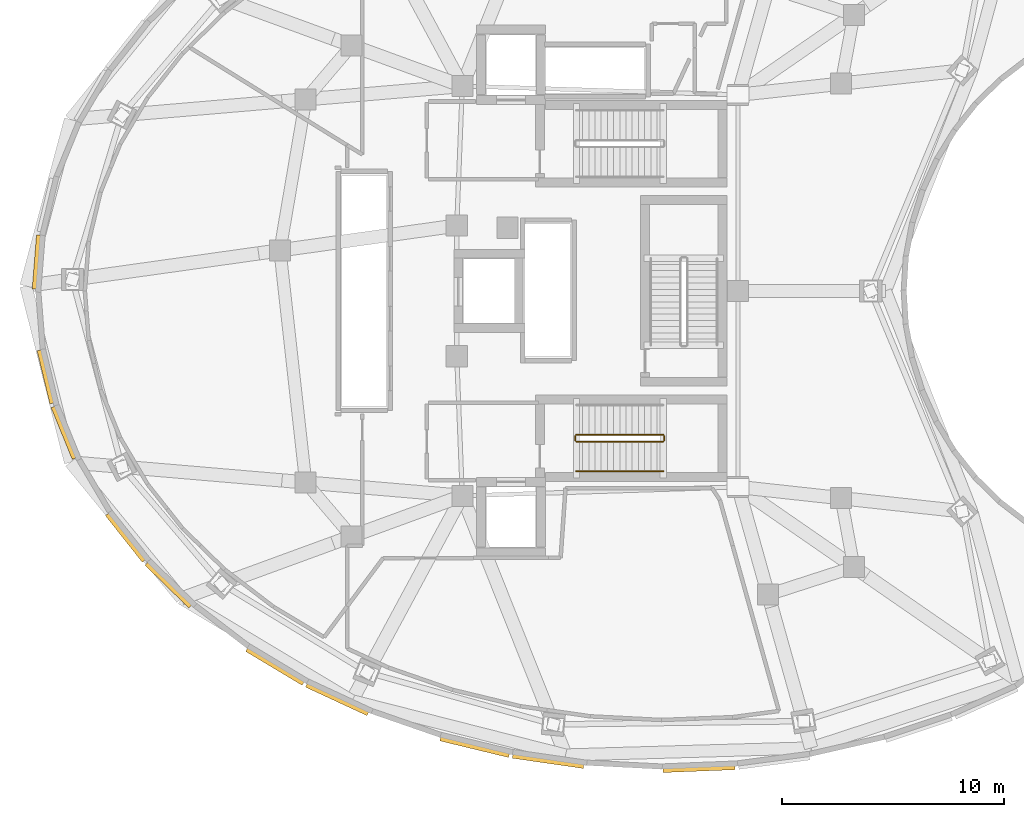
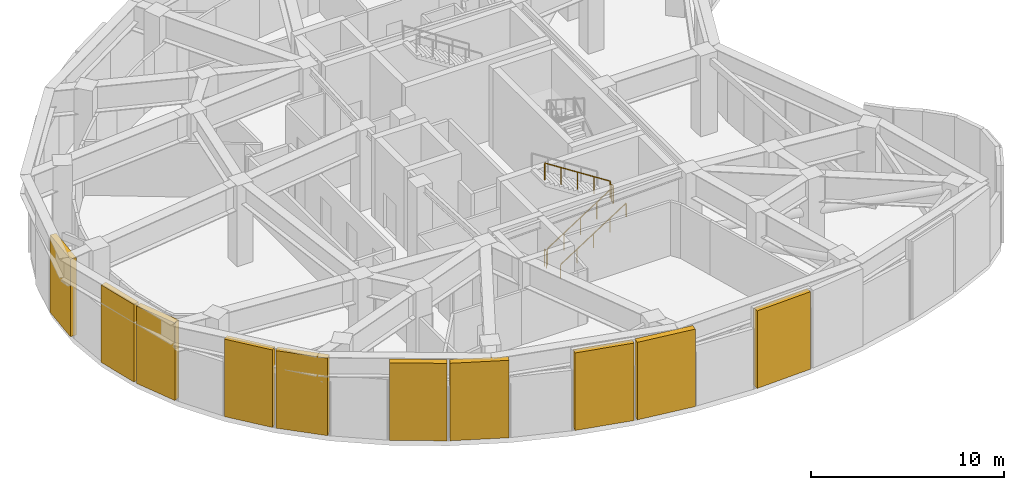
# One storey, part 8 of 10: 10 shading devices, 5 railings.
"""IFC4 building model written with IfcOpenShell, lengths in metres."""

from ifc_helpers import new_model, si_unit, direction, frame, origin, origin_2d, place, context, subcontext, project, spatial, rectangle, extrude, material, layer, layer_set, type_object, element, save


model = new_model("IFC4")

# Units and contexts
model_context = context("Model", 3, precision=1e-05, world=origin(), true_north=direction((0.0, 1.0)))
body_context = subcontext(model_context, "Body", "Model", "MODEL_VIEW")
ifc_project = project(units=[si_unit("LENGTHUNIT", "METRE"), si_unit("AREAUNIT", "SQUARE_METRE"), si_unit("VOLUMEUNIT", "CUBIC_METRE"), si_unit("PLANEANGLEUNIT", "RADIAN"), si_unit("MASSUNIT", "GRAM", prefix="KILO")], contexts=[model_context])

# Site, building, storey
site_placement = place(None, origin())
site = spatial("IfcSite", under=ifc_project, at=site_placement, CompositionType="ELEMENT")
building_placement = place(site_placement, origin())
building = spatial("IfcBuilding", under=site, at=building_placement, Name="Korentha Bioscience Tower", CompositionType="ELEMENT")
storey_placement = place(building_placement, frame((0.0, 0.0, 213.0)))
storey = spatial("IfcBuildingStorey", under=building, at=storey_placement, Name="L49", CompositionType="ELEMENT", Elevation=213.0)

# Shading devices
ifc_material_1 = material(Name="Powder-Coated Aluminium Louvre", Category="aluminium")
ifc_layer = layer(ifc_material_1, 0.1201171875, Name="Powder-Coated Aluminium Louvre")
ifc_layer_set = layer_set([ifc_layer], Name="Powder-Coated Aluminium Louvre (LV-350)")
shading_device_type = type_object("IfcShadingDeviceType", Name="Acoustic Weatherproof Aluminium Plant Louvre 350", PredefinedType="USERDEFINED", material=ifc_layer_set)
shading_device_1_placement = place(storey_placement, frame((5.955810546875, 28.29345703125, 0.10009765625), z_axis=(0.0, 0.0, 1.0), x_axis=(-0.079092017356, -0.996867319552, 0.0)))
element("IfcShadingDevice", 1, at=shading_device_1_placement, inside=storey, type_object=shading_device_type, Name="L49 Acoustic Plant Louvre 18", ObjectType="LOUVRE", PredefinedType="USERDEFINED", context=body_context, shape_type="SweptSolid", body=[
    extrude(rectangle(XDim=2.438232421875, YDim=0.35009765625, at=origin_2d()), origin(), (0.0, 0.0, 1.0), 4.89990234375),
])
shading_device_2_placement = place(storey_placement, frame((6.364501953125, 23.13818359375, 0.10009765625), z_axis=(0.0, 0.0, 1.0), x_axis=(0.233643779701, -0.972322263556, 0.0)))
element("IfcShadingDevice", 2, at=shading_device_2_placement, inside=storey, type_object=shading_device_type, Name="L49 Acoustic Plant Louvre 20", ObjectType="LOUVRE", PredefinedType="USERDEFINED", context=body_context, shape_type="SweptSolid", body=[
    extrude(rectangle(XDim=2.46533203125, YDim=0.35009765625, at=origin_2d()), origin(), (0.0, 0.0, 1.0), 4.89990234375),
])
shading_device_3_placement = place(storey_placement, frame((7.1767578125, 20.62548828125, 0.10009765625), z_axis=(0.0, 0.0, 1.0), x_axis=(0.378219761594, -0.925715837576, 0.0)))
element("IfcShadingDevice", 3, at=shading_device_3_placement, inside=storey, type_object=shading_device_type, Name="L49 Acoustic Plant Louvre 21", ObjectType="LOUVRE", PredefinedType="USERDEFINED", context=body_context, shape_type="SweptSolid", body=[
    extrude(rectangle(XDim=2.517333984375, YDim=0.35009765625, at=origin_2d()), origin(), (0.0, 0.0, 1.0), 4.89990234375),
])
shading_device_4_placement = place(storey_placement, frame((9.9580078125, 15.910888671875, 0.10009765625), z_axis=(0.0, 0.0, 1.0), x_axis=(0.620844675478, -0.783933599822, 0.0)))
element("IfcShadingDevice", 4, at=shading_device_4_placement, inside=storey, type_object=shading_device_type, Name="L49 Acoustic Plant Louvre 23", ObjectType="LOUVRE", PredefinedType="USERDEFINED", context=body_context, shape_type="SweptSolid", body=[
    extrude(rectangle(XDim=2.677001953125, YDim=0.35009765625, at=origin_2d()), origin(), (0.0, 0.0, 1.0), 4.89990234375),
])
shading_device_5_placement = place(storey_placement, frame((11.886962890625, 13.776611328125, 0.10009765625), z_axis=(0.0, 0.0, 1.0), x_axis=(0.715998861647, -0.698101446868, 0.0)))
element("IfcShadingDevice", 5, at=shading_device_5_placement, inside=storey, type_object=shading_device_type, Name="L49 Acoustic Plant Louvre 24", ObjectType="LOUVRE", PredefinedType="USERDEFINED", context=body_context, shape_type="SweptSolid", body=[
    extrude(rectangle(XDim=2.7734375, YDim=0.35009765625, at=origin_2d()), origin(), (0.0, 0.0, 1.0), 4.89990234375),
])
shading_device_6_placement = place(storey_placement, frame((16.68359375, 10.109130859375, 0.10009765625), z_axis=(0.0, 0.0, 1.0), x_axis=(0.857523948962, -0.514444046478, 0.0)))
element("IfcShadingDevice", 6, at=shading_device_6_placement, inside=storey, type_object=shading_device_type, Name="L49 Acoustic Plant Louvre 26", ObjectType="LOUVRE", PredefinedType="USERDEFINED", context=body_context, shape_type="SweptSolid", body=[
    extrude(rectangle(XDim=2.968505859375, YDim=0.35009765625, at=origin_2d()), origin(), (0.0, 0.0, 1.0), 4.89990234375),
])
shading_device_7_placement = place(storey_placement, frame((19.48193359375, 8.62841796875, 0.10009765625), z_axis=(0.0, 0.0, 1.0), x_axis=(0.907133193166, -0.420843640628, 0.0)))
element("IfcShadingDevice", 7, at=shading_device_7_placement, inside=storey, type_object=shading_device_type, Name="L49 Acoustic Plant Louvre 27", ObjectType="LOUVRE", PredefinedType="USERDEFINED", context=body_context, shape_type="SweptSolid", body=[
    extrude(rectangle(XDim=3.056396484375, YDim=0.35009765625, at=origin_2d()), origin(), (0.0, 0.0, 1.0), 4.89990234375),
])
shading_device_8_placement = place(storey_placement, frame((25.677001953125, 6.48095703125, 0.10009765625), z_axis=(0.0, 0.0, 1.0), x_axis=(0.972024933768, -0.234877687602, 0.0)))
element("IfcShadingDevice", 8, at=shading_device_8_placement, inside=storey, type_object=shading_device_type, Name="L49 Acoustic Plant Louvre 29", ObjectType="LOUVRE", PredefinedType="USERDEFINED", context=body_context, shape_type="SweptSolid", body=[
    extrude(rectangle(XDim=3.1923828125, YDim=0.35009765625, at=origin_2d()), origin(), (0.0, 0.0, 1.0), 4.89990234375),
])
shading_device_9_placement = place(storey_placement, frame((28.984375, 5.844970703125, 0.10009765625), z_axis=(0.0, 0.0, 1.0), x_axis=(0.989727337897, -0.142967816723, 0.0)))
element("IfcShadingDevice", 9, at=shading_device_9_placement, inside=storey, type_object=shading_device_type, Name="L49 Acoustic Plant Louvre 30", ObjectType="LOUVRE", PredefinedType="USERDEFINED", context=body_context, shape_type="SweptSolid", body=[
    extrude(rectangle(XDim=3.234619140625, YDim=0.35009765625, at=origin_2d()), origin(), (0.0, 0.0, 1.0), 4.89990234375),
])
shading_device_10_placement = place(storey_placement, frame((35.780029296875, 5.494384765625, 0.10009765625), z_axis=(0.0, 0.0, 1.0), x_axis=(0.999210418027, 0.039730850817, 0.0)))
element("IfcShadingDevice", 10, at=shading_device_10_placement, inside=storey, type_object=shading_device_type, Name="L49 Acoustic Plant Louvre 32", ObjectType="LOUVRE", PredefinedType="USERDEFINED", context=body_context, shape_type="SweptSolid", body=[
    extrude(rectangle(XDim=3.258056640625, YDim=0.35009765625, at=origin_2d()), origin(), (0.0, 0.0, 1.0), 4.89990234375),
])

# Railings
ifc_material_2 = material(Name="Stainless Steel 304", Category="steel")
railing_type_1 = type_object("IfcRailingType", Name="Brushed Stainless Stair Handrail 900", PredefinedType="HANDRAIL", material=ifc_material_2)
railing_1_placement = place(storey_placement, frame((30.25, 18.85009765625, 0.179931640625)))
element("IfcRailing", 11, at=railing_1_placement, inside=storey, type_object=railing_type_1, Name="L49 ST-2 stair handrail 1", PredefinedType="HANDRAIL", context=body_context, shape_type="SweptSolid", body=[
    extrude(rectangle(XDim=0.048095703125, YDim=0.048095703125, at=origin_2d()), frame((0.0, 0.0, 0.8759765625), z_axis=(0.841171666519, 0.0, 0.540768182723), x_axis=(0.0, 1.0, 0.0)), (0.0, 0.0, 1.0), 4.66015625),
    extrude(rectangle(XDim=0.0419921875, YDim=0.0419921875, at=origin_2d()), origin(), (0.0, 0.0, 1.0), 0.851806640625),
    extrude(rectangle(XDim=0.0419921875, YDim=0.0419921875, at=origin_2d()), frame((0.97998046875, 0.0, 0.6298828125)), (0.0, 0.0, 1.0), 0.851806640625),
    extrude(rectangle(XDim=0.0419921875, YDim=0.0419921875, at=origin_2d()), frame((1.9599609375, 0.0, 1.260009765625)), (0.0, 0.0, 1.0), 0.851806640625),
    extrude(rectangle(XDim=0.0419921875, YDim=0.0419921875, at=origin_2d()), frame((2.93994140625, 0.0, 1.89013671875)), (0.0, 0.0, 1.0), 0.851806640625),
    extrude(rectangle(XDim=0.0419921875, YDim=0.0419921875, at=origin_2d()), frame((3.919921875, 0.0, 2.52001953125)), (0.0, 0.0, 1.0), 0.851806640625),
])
ifc_material_3 = material(Name="Painted Steel S275", Category="steel")
railing_type_2 = type_object("IfcRailingType", Name="Painted Steel Stair Well Guardrail 1100", PredefinedType="GUARDRAIL", material=ifc_material_3)
railing_2_placement = place(storey_placement, frame((30.25, 20.199951171875, 0.179931640625)))
element("IfcRailing", 12, at=railing_2_placement, inside=storey, type_object=railing_type_2, Name="L49 ST-2 stair guard 1", PredefinedType="GUARDRAIL", context=body_context, shape_type="SweptSolid", body=[
    extrude(rectangle(XDim=0.048095703125, YDim=0.048095703125, at=origin_2d()), frame((0.0, 0.0, 1.076171875), z_axis=(0.841171666519, 0.0, 0.540768182723), x_axis=(0.0, 1.0, 0.0)), (0.0, 0.0, 1.0), 4.66015625),
    extrude(rectangle(XDim=0.0419921875, YDim=0.0419921875, at=origin_2d()), origin(), (0.0, 0.0, 1.0), 1.052001953125),
    extrude(rectangle(XDim=0.0419921875, YDim=0.0419921875, at=origin_2d()), frame((0.97998046875, 0.0, 0.6298828125)), (0.0, 0.0, 1.0), 1.052001953125),
    extrude(rectangle(XDim=0.0419921875, YDim=0.0419921875, at=origin_2d()), frame((1.9599609375, 0.0, 1.260009765625)), (0.0, 0.0, 1.0), 1.052001953125),
    extrude(rectangle(XDim=0.0419921875, YDim=0.0419921875, at=origin_2d()), frame((2.93994140625, 0.0, 1.89013671875)), (0.0, 0.0, 1.0), 1.052001953125),
    extrude(rectangle(XDim=0.0419921875, YDim=0.0419921875, at=origin_2d()), frame((3.919921875, 0.0, 2.52001953125)), (0.0, 0.0, 1.0), 1.052001953125),
])
railing_3_placement = place(storey_placement, frame((34.219970703125, 20.25, 2.699951171875)))
element("IfcRailing", 13, at=railing_3_placement, inside=storey, type_object=railing_type_2, Name="L49 ST-2 stair guard 2", PredefinedType="GUARDRAIL", context=body_context, shape_type="SweptSolid", body=[
    extrude(rectangle(XDim=0.048095703125, YDim=0.048095703125, at=origin_2d()), frame((0.0, 0.0, 1.076171875), z_axis=(0.0, 1.0, 0.0), x_axis=(-1.0, 0.0, 0.0)), (0.0, 0.0, 1.0), 0.199951171875),
    extrude(rectangle(XDim=0.0419921875, YDim=0.0419921875, at=origin_2d()), origin(), (0.0, 0.0, 1.0), 1.052001953125),
    extrude(rectangle(XDim=0.0419921875, YDim=0.0419921875, at=origin_2d()), frame((0.0, 0.199951171875, 0.0)), (0.0, 0.0, 1.0), 1.052001953125),
])
railing_4_placement = place(storey_placement, frame((34.169921875, 20.5, 2.8798828125)))
element("IfcRailing", 14, at=railing_4_placement, inside=storey, type_object=railing_type_2, Name="L49 ST-2 stair guard 3", PredefinedType="GUARDRAIL", context=body_context, shape_type="SweptSolid", body=[
    extrude(rectangle(XDim=0.048095703125, YDim=0.048095703125, at=origin_2d()), frame((0.0, 0.0, 1.076171875), z_axis=(-0.841171666519, 0.0, 0.540768182723), x_axis=(0.0, -1.0, 0.0)), (0.0, 0.0, 1.0), 4.66015625),
    extrude(rectangle(XDim=0.0419921875, YDim=0.0419921875, at=origin_2d()), origin(), (0.0, 0.0, 1.0), 1.052001953125),
    extrude(rectangle(XDim=0.0419921875, YDim=0.0419921875, at=origin_2d()), frame((-0.97998046875, 0.0, 0.6298828125)), (0.0, 0.0, 1.0), 1.052001953125),
    extrude(rectangle(XDim=0.0419921875, YDim=0.0419921875, at=origin_2d()), frame((-1.9599609375, 0.0, 1.260009765625)), (0.0, 0.0, 1.0), 1.052001953125),
    extrude(rectangle(XDim=0.0419921875, YDim=0.0419921875, at=origin_2d()), frame((-2.93994140625, 0.0, 1.89013671875)), (0.0, 0.0, 1.0), 1.052001953125),
    extrude(rectangle(XDim=0.0419921875, YDim=0.0419921875, at=origin_2d()), frame((-3.919921875, 0.0, 2.52001953125)), (0.0, 0.0, 1.0), 1.052001953125),
])
railing_5_placement = place(storey_placement, frame((30.199951171875, 20.25, 0.0)))
element("IfcRailing", 15, at=railing_5_placement, inside=storey, type_object=railing_type_2, Name="L49 ST-2 stair guard 4", PredefinedType="GUARDRAIL", context=body_context, shape_type="SweptSolid", body=[
    extrude(rectangle(XDim=0.048095703125, YDim=0.048095703125, at=origin_2d()), frame((0.0, 0.0, 1.076171875), z_axis=(0.0, 1.0, 0.0), x_axis=(-1.0, 0.0, 0.0)), (0.0, 0.0, 1.0), 0.199951171875),
    extrude(rectangle(XDim=0.0419921875, YDim=0.0419921875, at=origin_2d()), origin(), (0.0, 0.0, 1.0), 1.052001953125),
    extrude(rectangle(XDim=0.0419921875, YDim=0.0419921875, at=origin_2d()), frame((0.0, 0.199951171875, 0.0)), (0.0, 0.0, 1.0), 1.052001953125),
])

save(model, "model.ifc")
